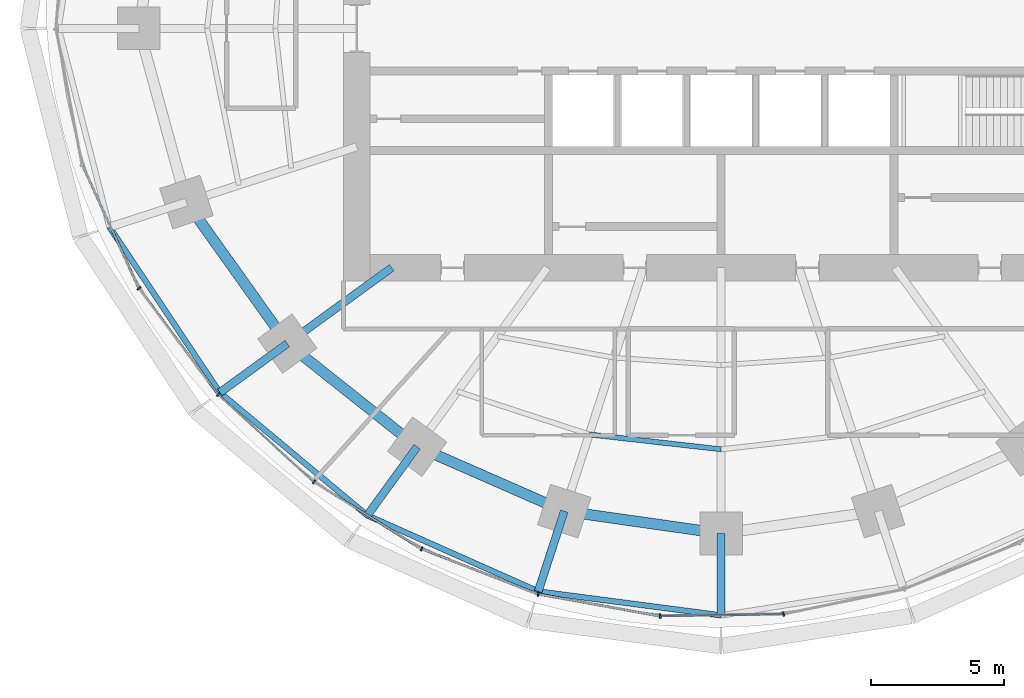
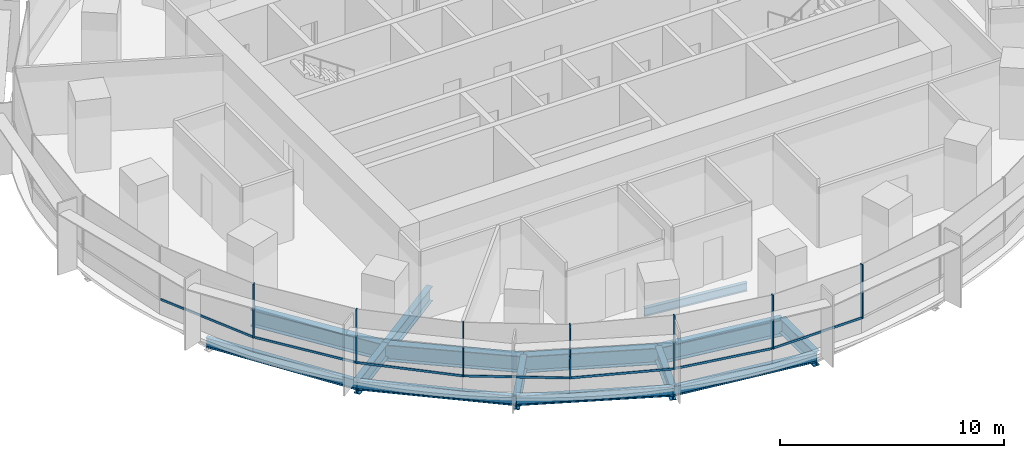
# One storey, part 2 of 14: 14 beams, 14 members, 2 elements without a shape of their own.
"""IFC4 building model written with IfcOpenShell, lengths in metres."""

from ifc_helpers import new_model, si_unit, direction, frame, origin, origin_2d, place, context, subcontext, project, spatial, rectangle, i_section, extrude, material, material_profile, profile_set, type_object, element, aggregate, save


model = new_model("IFC4")

# Units and contexts
model_context = context("Model", 3, precision=1e-05, world=origin(), true_north=direction((0.0, 1.0)))
body_context = subcontext(model_context, "Body", "Model", "MODEL_VIEW")
ifc_project = project(units=[si_unit("LENGTHUNIT", "METRE"), si_unit("AREAUNIT", "SQUARE_METRE"), si_unit("VOLUMEUNIT", "CUBIC_METRE"), si_unit("PLANEANGLEUNIT", "RADIAN"), si_unit("MASSUNIT", "GRAM", prefix="KILO")], contexts=[model_context])

# Site, building, storey
site_placement = place(None, origin())
site = spatial("IfcSite", under=ifc_project, at=site_placement, CompositionType="ELEMENT")
building_placement = place(site_placement, origin())
building = spatial("IfcBuilding", under=site, at=building_placement, Name="Marramba Exchange Tower", CompositionType="ELEMENT")
storey_placement = place(building_placement, frame((0.0, 0.0, 127.5)))
storey = spatial("IfcBuildingStorey", under=building, at=storey_placement, Name="L30", CompositionType="ELEMENT", Elevation=127.5)

# Beams
ifc_material_1 = material(Name="Steel AS/NZS 3679.2 grade 300", Category="steel")
ifc_material_profile_1 = material_profile(ifc_material_1, i_section(OverallWidth=0.300048828125, OverallDepth=0.800048828125, WebThickness=0.013916015625, FlangeThickness=0.031982421875, at=origin_2d()), Name="800WB192")
ifc_profile_set_1 = profile_set([ifc_material_profile_1], Name="Steel AS/NZS 3679.2 grade 300")
beam_type_1 = type_object("IfcBeamType", Name="Cantilever girder 800WB192", PredefinedType="BEAM", material=ifc_profile_set_1)
beam_1_placement = place(storey_placement, frame((-16.3154296875, -11.853759765625, -0.56005859375), z_axis=(-0.809025813822, -0.587773113173, 0.0), x_axis=(0.587773113173, -0.809025813822, 0.0)))
element("IfcBeam", 1, at=beam_1_placement, inside=storey, type_object=beam_type_1, Name="Cantilever girder L30 TC13", PredefinedType="BEAM", context=body_context, shape_type="SweptSolid", body=[
    extrude(i_section(OverallWidth=0.300048828125, OverallDepth=0.800048828125, WebThickness=0.013916015625, FlangeThickness=0.031982421875, at=origin_2d()), origin(), (0.0, 0.0, 1.0), 3.132568359375),
])
beam_2_placement = place(storey_placement, frame((-11.430419921875, -15.732666015625, -0.56005859375), z_axis=(-0.587767308424, -0.809030031054, 0.0), x_axis=(0.809030031054, -0.587767308424, 0.0)))
element("IfcBeam", 2, at=beam_2_placement, inside=storey, type_object=beam_type_1, Name="Cantilever girder L30 TC14", PredefinedType="BEAM", context=body_context, shape_type="SweptSolid", body=[
    extrude(i_section(OverallWidth=0.300048828125, OverallDepth=0.800048828125, WebThickness=0.013916015625, FlangeThickness=0.031982421875, at=origin_2d()), origin(), (0.0, 0.0, 1.0), 3.195556640625),
])
beam_3_placement = place(storey_placement, frame((-5.899658203125, -18.156982421875, -0.56005859375), z_axis=(-0.309018232614, -0.951056113966, 0.0), x_axis=(0.951056113966, -0.309018232614, 0.0)))
element("IfcBeam", 3, at=beam_3_placement, inside=storey, type_object=beam_type_1, Name="Cantilever girder L30 TC15", PredefinedType="BEAM", context=body_context, shape_type="SweptSolid", body=[
    extrude(i_section(OverallWidth=0.300048828125, OverallDepth=0.800048828125, WebThickness=0.013916015625, FlangeThickness=0.031982421875, at=origin_2d()), origin(), (0.0, 0.0, 1.0), 3.173583984375),
])
beam_4_placement = place(storey_placement, frame((0.0, -18.99609375, -0.56005859375), z_axis=(0.0, -1.0, 0.0), x_axis=(1.0, 0.0, 0.0)))
element("IfcBeam", 4, at=beam_4_placement, inside=storey, type_object=beam_type_1, Name="Cantilever girder L30 TC16", PredefinedType="BEAM", context=body_context, shape_type="SweptSolid", body=[
    extrude(i_section(OverallWidth=0.300048828125, OverallDepth=0.800048828125, WebThickness=0.013916015625, FlangeThickness=0.031982421875, at=origin_2d()), origin(), (0.0, 0.0, 1.0), 3.080810546875),
])
ifc_material_2 = material(Name="Steel AS/NZS 3679.1 grade 300", Category="steel")
ifc_material_profile_2 = material_profile(ifc_material_2, i_section(OverallWidth=0.18994140625, OverallDepth=0.4541015625, WebThickness=0.008544921875, FlangeThickness=0.0126953125, FilletRadius=0.011474609375, at=origin_2d()), Name="460UB67.1")
ifc_profile_set_2 = profile_set([ifc_material_profile_2], Name="Steel AS/NZS 3679.1 grade 300")
beam_type_2 = type_object("IfcBeamType", Name="Floor joist 460UB67.1", PredefinedType="JOIST", material=ifc_profile_set_2)
beam_5_placement = place(storey_placement, frame((-4.9619140625, -15.271484375, -0.386962890625), z_axis=(0.993712018573, -0.111966174106, 0.0), x_axis=(0.111966174106, 0.993712018573, 0.0)))
element("IfcBeam", 5, at=beam_5_placement, inside=storey, type_object=beam_type_2, Name="Joist L30 bay 15 row 2", PredefinedType="JOIST", context=body_context, shape_type="SweptSolid", body=[
    extrude(i_section(OverallWidth=0.18994140625, OverallDepth=0.4541015625, WebThickness=0.008544921875, FlangeThickness=0.0126953125, FilletRadius=0.011474609375, at=origin_2d()), origin(), (0.0, 0.0, 1.0), 4.993408203125),
])

# Curtain wall, members
ifc_material_3 = material(Name="Aluminium framing, bronze anodised", Category="aluminium")
curtain_wall_type = type_object("IfcCurtainWallType", Name="Office ribbon curtain wall", PredefinedType="USERDEFINED", material=ifc_material_3)
curtain_wall_1_placement = place(storey_placement, origin())
curtain_wall_1 = element("IfcCurtainWall", 6, at=curtain_wall_1_placement, inside=storey, type_object=curtain_wall_type, Name="Curtain wall CW4 L30 F16-F20", ObjectType="RIBBON CURTAIN WALL", PredefinedType="USERDEFINED")
ifc_material_4 = material(Name="Aluminium mullion, bronze anodised", Category="aluminium")
ifc_material_profile_3 = material_profile(ifc_material_4, rectangle(XDim=0.159912109375, YDim=0.06005859375, at=origin_2d()), Name="CW4 mullion 60x160")
ifc_profile_set_3 = profile_set([ifc_material_profile_3], Name="Aluminium mullion, bronze anodised")
member_type_1 = type_object("IfcMemberType", Name="Office ribbon curtain wall mullion", PredefinedType="MULLION", material=ifc_profile_set_3)
member_1_placement = place(storey_placement, frame((-21.891357421875, -9.778564453125, 0.800048828125), z_axis=(0.0, 0.0, 1.0), x_axis=(0.802014400683, 0.597304697033, 0.0)))
member_1 = element("IfcMember", 7, at=member_1_placement, type_object=member_type_1, Name="CW4 mullion 1", PredefinedType="MULLION", context=body_context, shape_type="SweptSolid", body=[
    extrude(rectangle(XDim=0.159912109375, YDim=0.06005859375, at=origin_2d()), origin(), (0.0, 0.0, 1.0), 2.93994140625),
])
member_2_placement = place(storey_placement, frame((-18.90869140625, -13.774169921875, 0.800048828125), z_axis=(0.0, 0.0, 1.0), x_axis=(0.674995455115, 0.737821886077, 0.0)))
member_2 = element("IfcMember", 8, at=member_2_placement, type_object=member_type_1, Name="CW4 mullion 1", PredefinedType="MULLION", context=body_context, shape_type="SweptSolid", body=[
    extrude(rectangle(XDim=0.159912109375, YDim=0.06005859375, at=origin_2d()), origin(), (0.0, 0.0, 1.0), 2.93994140625),
])
member_3_placement = place(storey_placement, frame((-15.315673828125, -17.053955078125, 0.800048828125), z_axis=(0.0, 0.0, 1.0), x_axis=(0.52942844364, 0.84835459748, 0.0)))
member_3 = element("IfcMember", 9, at=member_3_placement, type_object=member_type_1, Name="CW4 mullion 1", PredefinedType="MULLION", context=body_context, shape_type="SweptSolid", body=[
    extrude(rectangle(XDim=0.159912109375, YDim=0.06005859375, at=origin_2d()), origin(), (0.0, 0.0, 1.0), 2.93994140625),
])

curtain_wall_2_placement = place(storey_placement, origin())
curtain_wall_2 = element("IfcCurtainWall", 10, at=curtain_wall_2_placement, inside=storey, type_object=curtain_wall_type, Name="Curtain wall CW4 L30 F21-F25", ObjectType="RIBBON CURTAIN WALL", PredefinedType="USERDEFINED")
member_4_placement = place(storey_placement, frame((-11.266845703125, -19.573974609375, 0.800048828125), z_axis=(0.0, 0.0, 1.0), x_axis=(0.36292490603, 0.931818390344, 0.0)))
member_4 = element("IfcMember", 11, at=member_4_placement, type_object=member_type_1, Name="CW4 mullion 1", PredefinedType="MULLION", context=body_context, shape_type="SweptSolid", body=[
    extrude(rectangle(XDim=0.159912109375, YDim=0.06005859375, at=origin_2d()), origin(), (0.0, 0.0, 1.0), 2.93994140625),
])
member_5_placement = place(storey_placement, frame((-6.881591796875, -21.27587890625, 0.800048828125), z_axis=(0.0, 0.0, 1.0), x_axis=(0.177992379115, 0.984031865834, 0.0)))
member_5 = element("IfcMember", 12, at=member_5_placement, type_object=member_type_1, Name="CW4 mullion 1", PredefinedType="MULLION", context=body_context, shape_type="SweptSolid", body=[
    extrude(rectangle(XDim=0.159912109375, YDim=0.06005859375, at=origin_2d()), origin(), (0.0, 0.0, 1.0), 2.93994140625),
])
member_6_placement = place(storey_placement, frame((-2.292724609375, -22.099853515625, 0.800048828125), z_axis=(0.0, 0.0, 1.0), x_axis=(-0.015178646521, 0.999884797709, 0.0)))
member_6 = element("IfcMember", 13, at=member_6_placement, type_object=member_type_1, Name="CW4 mullion 1", PredefinedType="MULLION", context=body_context, shape_type="SweptSolid", body=[
    extrude(rectangle(XDim=0.159912109375, YDim=0.06005859375, at=origin_2d()), origin(), (0.0, 0.0, 1.0), 2.93994140625),
])
member_7_placement = place(storey_placement, frame((2.3447265625, -22.02392578125, 0.800048828125), z_axis=(0.0, 0.0, 1.0), x_axis=(-0.202364850159, 0.979310199794, 0.0)))
member_7 = element("IfcMember", 14, at=member_7_placement, type_object=member_type_1, Name="CW4 mullion 1", PredefinedType="MULLION", context=body_context, shape_type="SweptSolid", body=[
    extrude(rectangle(XDim=0.159912109375, YDim=0.06005859375, at=origin_2d()), origin(), (0.0, 0.0, 1.0), 2.93994140625),
])

# Member
ifc_material_5 = material(Name="Aluminium transom, bronze anodised", Category="aluminium")
ifc_material_profile_4 = material_profile(ifc_material_5, rectangle(XDim=0.06005859375, YDim=0.1201171875, at=origin_2d()), Name="CW4 transom 60x120")
ifc_profile_set_4 = profile_set([ifc_material_profile_4], Name="Aluminium transom, bronze anodised")
member_type_2 = type_object("IfcMemberType", Name="Office ribbon curtain wall transom", PredefinedType="USERDEFINED", material=ifc_profile_set_4)
member_8_placement = place(storey_placement, frame((-24.013671875, -5.1640625, 0.830078125), z_axis=(0.416732948599, -0.909028959688, 0.0), x_axis=(0.909028959688, 0.416732948599, 0.0)))
member_8 = element("IfcMember", 15, at=member_8_placement, type_object=member_type_2, Name="CW4 sill transom", ObjectType="TRANSOM", PredefinedType="USERDEFINED", context=body_context, shape_type="SweptSolid", body=[
    extrude(rectangle(XDim=0.06005859375, YDim=0.1201171875, at=origin_2d()), origin(), (0.0, 0.0, 1.0), 5.050048828125),
])

member_9_placement = place(storey_placement, frame((-21.873291015625, -9.802734375, 0.830078125), z_axis=(0.597300736643, -0.80201735019, 0.0), x_axis=(0.80201735019, 0.597300736643, 0.0)))
member_9 = element("IfcMember", 16, at=member_9_placement, type_object=member_type_2, Name="CW4 sill transom", ObjectType="TRANSOM", PredefinedType="USERDEFINED", context=body_context, shape_type="SweptSolid", body=[
    extrude(rectangle(XDim=0.06005859375, YDim=0.1201171875, at=origin_2d()), origin(), (0.0, 0.0, 1.0), 4.926513671875),
])

member_10_placement = place(storey_placement, frame((-18.886474609375, -13.79443359375, 0.830078125), z_axis=(0.737807565469, -0.675011108306, 0.0), x_axis=(0.675011108306, 0.737807565469, 0.0)))
member_10 = element("IfcMember", 17, at=member_10_placement, type_object=member_type_2, Name="CW4 sill transom", ObjectType="TRANSOM", PredefinedType="USERDEFINED", context=body_context, shape_type="SweptSolid", body=[
    extrude(rectangle(XDim=0.06005859375, YDim=0.1201171875, at=origin_2d()), origin(), (0.0, 0.0, 1.0), 4.805419921875),
])

member_11_placement = place(storey_placement, frame((-15.2900390625, -17.06982421875, 0.830078125), z_axis=(0.848373790728, -0.529397687193, 0.0), x_axis=(0.529397687193, 0.848373790728, 0.0)))
member_11 = element("IfcMember", 18, at=member_11_placement, type_object=member_type_2, Name="CW4 sill transom", ObjectType="TRANSOM", PredefinedType="USERDEFINED", context=body_context, shape_type="SweptSolid", body=[
    extrude(rectangle(XDim=0.06005859375, YDim=0.1201171875, at=origin_2d()), origin(), (0.0, 0.0, 1.0), 4.70947265625),
])

aggregate(curtain_wall_1, [member_8, member_1, member_9, member_2, member_10, member_3, member_11])

member_12_placement = place(storey_placement, frame((-11.23876953125, -19.5849609375, 0.830078125), z_axis=(0.931817106708, -0.362928201778, 0.0), x_axis=(0.362928201778, 0.931817106708, 0.0)))
member_12 = element("IfcMember", 19, at=member_12_placement, type_object=member_type_2, Name="CW4 sill transom", ObjectType="TRANSOM", PredefinedType="USERDEFINED", context=body_context, shape_type="SweptSolid", body=[
    extrude(rectangle(XDim=0.06005859375, YDim=0.1201171875, at=origin_2d()), origin(), (0.0, 0.0, 1.0), 4.644287109375),
])

member_13_placement = place(storey_placement, frame((-6.85205078125, -21.281005859375, 0.830078125), z_axis=(0.98402906811, -0.178007845654, 0.0), x_axis=(0.178007845654, 0.98402906811, 0.0)))
member_13 = element("IfcMember", 20, at=member_13_placement, type_object=member_type_2, Name="CW4 sill transom", ObjectType="TRANSOM", PredefinedType="USERDEFINED", context=body_context, shape_type="SweptSolid", body=[
    extrude(rectangle(XDim=0.06005859375, YDim=0.1201171875, at=origin_2d()), origin(), (0.0, 0.0, 1.0), 4.602783203125),
])

member_14_placement = place(storey_placement, frame((-2.262939453125, -22.099365234375, 0.830078125), z_axis=(0.999885345665, 0.015142507235, 0.0), x_axis=(-0.015142507235, 0.999885345665, 0.0)))
member_14 = element("IfcMember", 21, at=member_14_placement, type_object=member_type_2, Name="CW4 sill transom", ObjectType="TRANSOM", PredefinedType="USERDEFINED", context=body_context, shape_type="SweptSolid", body=[
    extrude(rectangle(XDim=0.06005859375, YDim=0.1201171875, at=origin_2d()), origin(), (0.0, 0.0, 1.0), 4.578857421875),
])

aggregate(curtain_wall_2, [member_4, member_12, member_5, member_13, member_6, member_14, member_7])

# Beams
ifc_material_profile_5 = material_profile(ifc_material_1, i_section(OverallWidth=0.300048828125, OverallDepth=0.800048828125, WebThickness=0.013916015625, FlangeThickness=0.031982421875, at=origin_2d()), Name="800WB192")
ifc_profile_set_5 = profile_set([ifc_material_profile_5], Name="Steel AS/NZS 3679.2 grade 300")
beam_type_3 = type_object("IfcBeamType", Name="Radial girder 800WB192", PredefinedType="BEAM", material=ifc_profile_set_5)
beam_6_placement = place(storey_placement, frame((-12.387451171875, -9.0, -0.56005859375), z_axis=(-0.809025189606, -0.58777397236, 0.0), x_axis=(0.58777397236, -0.809025189606, 0.0)))
element("IfcBeam", 22, at=beam_6_placement, inside=storey, type_object=beam_type_3, Name="Radial girder L30 TC13", PredefinedType="BEAM", context=body_context, shape_type="SweptSolid", body=[
    extrude(i_section(OverallWidth=0.300048828125, OverallDepth=0.800048828125, WebThickness=0.013916015625, FlangeThickness=0.031982421875, at=origin_2d()), origin(), (0.0, 0.0, 1.0), 4.855224609375),
])
ifc_material_profile_6 = material_profile(ifc_material_1, i_section(OverallWidth=0.39990234375, OverallDepth=0.89990234375, WebThickness=0.01611328125, FlangeThickness=0.031982421875, at=origin_2d()), Name="900WB282")
ifc_profile_set_6 = profile_set([ifc_material_profile_6], Name="Steel AS/NZS 3679.2 grade 300")
beam_type_4 = type_object("IfcBeamType", Name="Ring beam 900WB282", PredefinedType="SPANDREL", material=ifc_profile_set_6)
beam_7_placement = place(storey_placement, frame((-20.109375, -6.533935546875, -0.610107421875), z_axis=(0.580637181111, -0.814162430914, 0.0), x_axis=(0.814162430914, 0.580637181111, 0.0)))
element("IfcBeam", 23, at=beam_7_placement, inside=storey, type_object=beam_type_4, Name="Ring beam L30 TC12-TC13", PredefinedType="SPANDREL", context=body_context, shape_type="SweptSolid", body=[
    extrude(i_section(OverallWidth=0.39990234375, OverallDepth=0.89990234375, WebThickness=0.01611328125, FlangeThickness=0.031982421875, at=origin_2d()), origin(), (0.0, 0.0, 1.0), 6.5341796875),
])
beam_8_placement = place(storey_placement, frame((-16.3154296875, -11.853759765625, -0.610107421875), z_axis=(0.783139438128, -0.621846138887, 0.0), x_axis=(0.621846138887, 0.783139438128, 0.0)))
element("IfcBeam", 24, at=beam_8_placement, inside=storey, type_object=beam_type_4, Name="Ring beam L30 TC13-TC14", PredefinedType="SPANDREL", context=body_context, shape_type="SweptSolid", body=[
    extrude(i_section(OverallWidth=0.39990234375, OverallDepth=0.89990234375, WebThickness=0.01611328125, FlangeThickness=0.031982421875, at=origin_2d()), origin(), (0.0, 0.0, 1.0), 6.23779296875),
])
beam_9_placement = place(storey_placement, frame((-11.430419921875, -15.732666015625, -0.610107421875), z_axis=(0.915876892158, -0.4014592363, 0.0), x_axis=(0.4014592363, 0.915876892158, 0.0)))
element("IfcBeam", 25, at=beam_9_placement, inside=storey, type_object=beam_type_4, Name="Ring beam L30 TC14-TC15", PredefinedType="SPANDREL", context=body_context, shape_type="SweptSolid", body=[
    extrude(i_section(OverallWidth=0.39990234375, OverallDepth=0.89990234375, WebThickness=0.01611328125, FlangeThickness=0.031982421875, at=origin_2d()), origin(), (0.0, 0.0, 1.0), 6.038818359375),
])
beam_10_placement = place(storey_placement, frame((-5.899658203125, -18.156982421875, -0.610107421875), z_axis=(0.990036163016, -0.140813337152, 0.0), x_axis=(0.140813337152, 0.990036163016, 0.0)))
element("IfcBeam", 26, at=beam_10_placement, inside=storey, type_object=beam_type_4, Name="Ring beam L30 TC15-TC16", PredefinedType="SPANDREL", context=body_context, shape_type="SweptSolid", body=[
    extrude(i_section(OverallWidth=0.39990234375, OverallDepth=0.89990234375, WebThickness=0.01611328125, FlangeThickness=0.031982421875, at=origin_2d()), origin(), (0.0, 0.0, 1.0), 5.958984375),
])
ifc_material_profile_7 = material_profile(ifc_material_2, i_section(OverallWidth=0.208984375, OverallDepth=0.528076171875, WebThickness=0.009521484375, FlangeThickness=0.01318359375, FilletRadius=0.013916015625, at=origin_2d()), Name="530UB82.0")
ifc_profile_set_7 = profile_set([ifc_material_profile_7], Name="Steel AS/NZS 3679.1 grade 300")
beam_type_5 = type_object("IfcBeamType", Name="Slab edge beam 530UB82.0", PredefinedType="SPANDREL", material=ifc_profile_set_7)
beam_11_placement = place(storey_placement, frame((-23.00341796875, -7.47412109375, -0.424072265625), z_axis=(0.555280023791, -0.831663450669, 0.0), x_axis=(0.831663450669, 0.555280023791, 0.0)))
element("IfcBeam", 27, at=beam_11_placement, inside=storey, type_object=beam_type_5, Name="Slab edge beam L30 TC12-TC13", PredefinedType="SPANDREL", context=body_context, shape_type="SweptSolid", body=[
    extrude(i_section(OverallWidth=0.208984375, OverallDepth=0.528076171875, WebThickness=0.009521484375, FlangeThickness=0.01318359375, FilletRadius=0.013916015625, at=origin_2d()), origin(), (0.0, 0.0, 1.0), 7.480224609375),
])
beam_12_placement = place(storey_placement, frame((-18.849853515625, -13.695068359375, -0.424072265625), z_axis=(0.767874532322, -0.640600267415, 0.0), x_axis=(0.640600267415, 0.767874532322, 0.0)))
element("IfcBeam", 28, at=beam_12_placement, inside=storey, type_object=beam_type_5, Name="Slab edge beam L30 TC13-TC14", PredefinedType="SPANDREL", context=body_context, shape_type="SweptSolid", body=[
    extrude(i_section(OverallWidth=0.208984375, OverallDepth=0.528076171875, WebThickness=0.009521484375, FlangeThickness=0.01318359375, FilletRadius=0.013916015625, at=origin_2d()), origin(), (0.0, 0.0, 1.0), 7.21630859375),
])
beam_13_placement = place(storey_placement, frame((-13.30859375, -18.31787109375, -0.424072265625), z_axis=(0.913788648873, -0.406189986571, 0.0), x_axis=(0.406189986571, 0.913788648873, 0.0)))
element("IfcBeam", 29, at=beam_13_placement, inside=storey, type_object=beam_type_5, Name="Slab edge beam L30 TC14-TC15", PredefinedType="SPANDREL", context=body_context, shape_type="SweptSolid", body=[
    extrude(i_section(OverallWidth=0.208984375, OverallDepth=0.528076171875, WebThickness=0.009521484375, FlangeThickness=0.01318359375, FilletRadius=0.013916015625, at=origin_2d()), origin(), (0.0, 0.0, 1.0), 7.03466796875),
])
beam_14_placement = place(storey_placement, frame((-6.88037109375, -21.17529296875, -0.424072265625), z_axis=(0.991523133546, -0.129930272237, 0.0), x_axis=(0.129930272237, 0.991523133546, 0.0)))
element("IfcBeam", 30, at=beam_14_placement, inside=storey, type_object=beam_type_5, Name="Slab edge beam L30 TC15-TC16", PredefinedType="SPANDREL", context=body_context, shape_type="SweptSolid", body=[
    extrude(i_section(OverallWidth=0.208984375, OverallDepth=0.528076171875, WebThickness=0.009521484375, FlangeThickness=0.01318359375, FilletRadius=0.013916015625, at=origin_2d()), origin(), (0.0, 0.0, 1.0), 6.939208984375),
])

save(model, "model.ifc")
